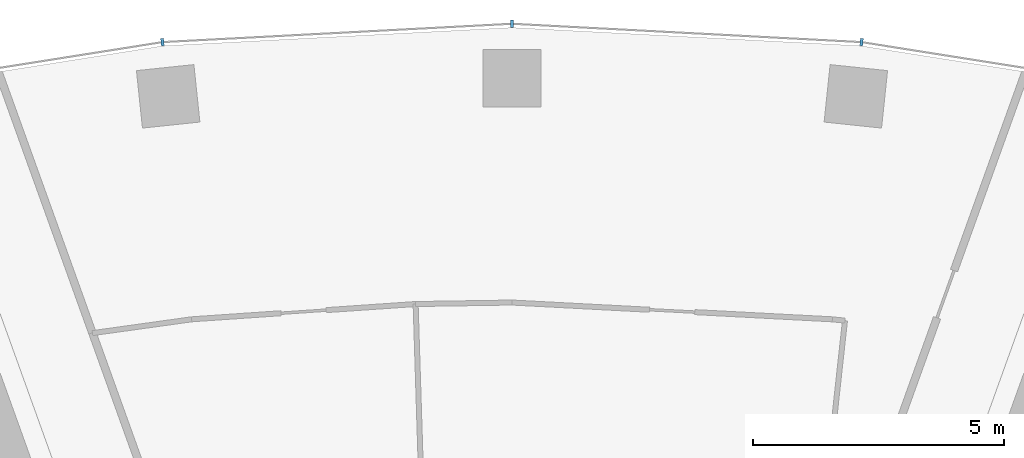
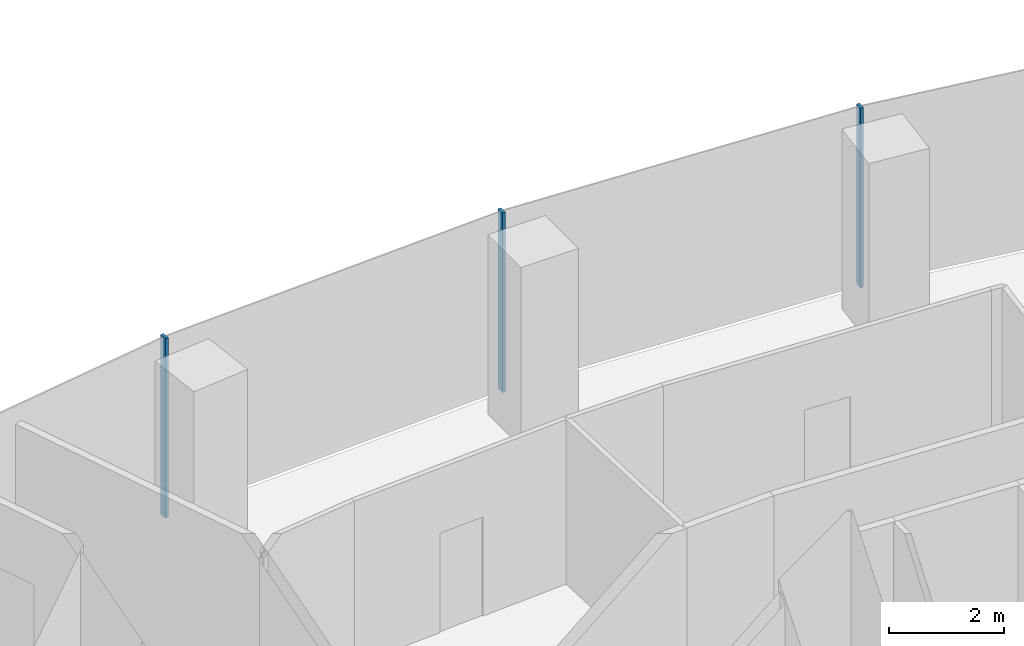
# One storey, part 7 of 21: 3 members, 1 element without a shape of its own.
"""IFC4 building model written with IfcOpenShell, lengths in metres."""

from ifc_helpers import new_model, si_unit, direction, frame, origin, origin_2d, place, context, subcontext, project, spatial, rectangle, extrude, material, layer, layer_set, material_profile, profile_set, type_object, element, aggregate, save


model = new_model("IFC4")

# Units and contexts
model_context = context("Model", 3, precision=1e-05, world=origin(), true_north=direction((0.0, 1.0)))
body_context = subcontext(model_context, "Body", "Model", "MODEL_VIEW")
ifc_project = project(units=[si_unit("LENGTHUNIT", "METRE"), si_unit("AREAUNIT", "SQUARE_METRE"), si_unit("VOLUMEUNIT", "CUBIC_METRE"), si_unit("PLANEANGLEUNIT", "RADIAN"), si_unit("MASSUNIT", "GRAM", prefix="KILO")], contexts=[model_context])

# Site, building, storey
site_placement = place(None, origin())
site = spatial("IfcSite", under=ifc_project, at=site_placement, CompositionType="ELEMENT")
building_placement = place(site_placement, origin())
building = spatial("IfcBuilding", under=site, at=building_placement, Name="Stone Belt Terrace Tower", CompositionType="ELEMENT")
storey_placement = place(building_placement, frame((0.0, 0.0, 94.60009765625)))
storey = spatial("IfcBuildingStorey", under=building, at=storey_placement, Name="L22", CompositionType="ELEMENT", Elevation=94.60009765625)

# Curtain wall, members
ifc_material = material(Name="Aluminium 6063-T6 anodised frame", Category="aluminium")
ifc_layer = layer(ifc_material, 0.14990234375)
ifc_layer_set = layer_set([ifc_layer], Name="CW-A unitised convex-face curtain wall")
curtain_wall_type = type_object("IfcCurtainWallType", Name="CW-A unitised convex-face curtain wall", PredefinedType="NOTDEFINED", material=ifc_layer_set)
curtain_wall_placement = place(storey_placement, origin())
curtain_wall = element("IfcCurtainWall", 1, at=curtain_wall_placement, inside=storey, type_object=curtain_wall_type, Name="CW-A convex face L22", PredefinedType="NOTDEFINED")
ifc_material_profile = material_profile(ifc_material, rectangle(XDim=0.14990234375, YDim=0.06005859375, at=origin_2d()), Name="Aluminium 6063-T6 60x150")
ifc_profile_set = profile_set([ifc_material_profile], Name="Aluminium 6063-T6 anodised frame")
member_type = type_object("IfcMemberType", Name="CW-A mullion 60 x 150", PredefinedType="MULLION", material=ifc_profile_set)
member_1_placement = place(storey_placement, frame((6.958984375, 66.21044921875, 0.0), z_axis=(0.0, 0.0, 1.0), x_axis=(-0.104528463268, -0.994521895368, 0.0)))
member_1 = element("IfcMember", 2, at=member_1_placement, type_object=member_type, Name="CW-A mullion 9", PredefinedType="MULLION", context=body_context, shape_type="SweptSolid", body=[
    extrude(rectangle(XDim=0.14990234375, YDim=0.06005859375, at=origin_2d()), origin(), (0.0, 0.0, 1.0), 3.7998046875),
])
member_2_placement = place(storey_placement, frame((0.0, 66.5751953125, 0.0), z_axis=(0.0, 0.0, 1.0), x_axis=(0.0, -1.0, 0.0)))
member_2 = element("IfcMember", 3, at=member_2_placement, type_object=member_type, Name="CW-A mullion 10", PredefinedType="MULLION", context=body_context, shape_type="SweptSolid", body=[
    extrude(rectangle(XDim=0.14990234375, YDim=0.06005859375, at=origin_2d()), origin(), (0.0, 0.0, 1.0), 3.7998046875),
])
member_3_placement = place(storey_placement, frame((-6.958984375, 66.21044921875, 0.0), z_axis=(0.0, 0.0, 1.0), x_axis=(0.104528463268, -0.994521895368, 0.0)))
member_3 = element("IfcMember", 4, at=member_3_placement, type_object=member_type, Name="CW-A mullion 11", PredefinedType="MULLION", context=body_context, shape_type="SweptSolid", body=[
    extrude(rectangle(XDim=0.14990234375, YDim=0.06005859375, at=origin_2d()), origin(), (0.0, 0.0, 1.0), 3.7998046875),
])
aggregate(curtain_wall, [member_1, member_2, member_3])

save(model, "model.ifc")
